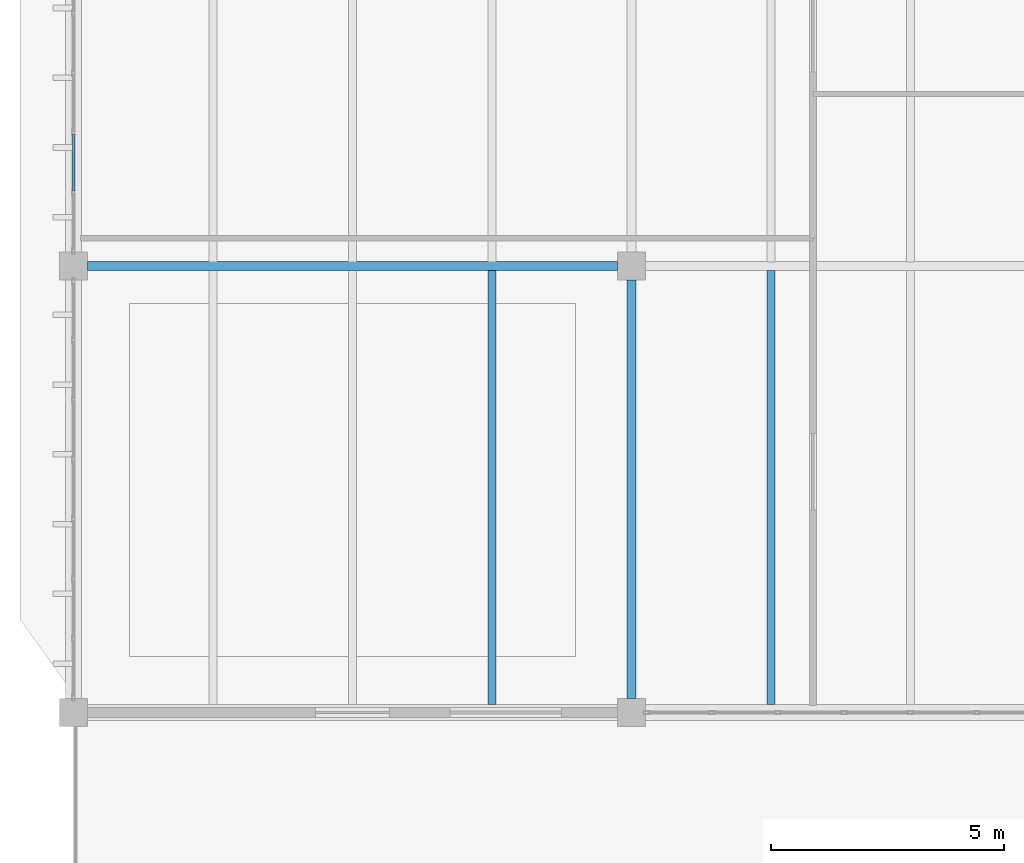
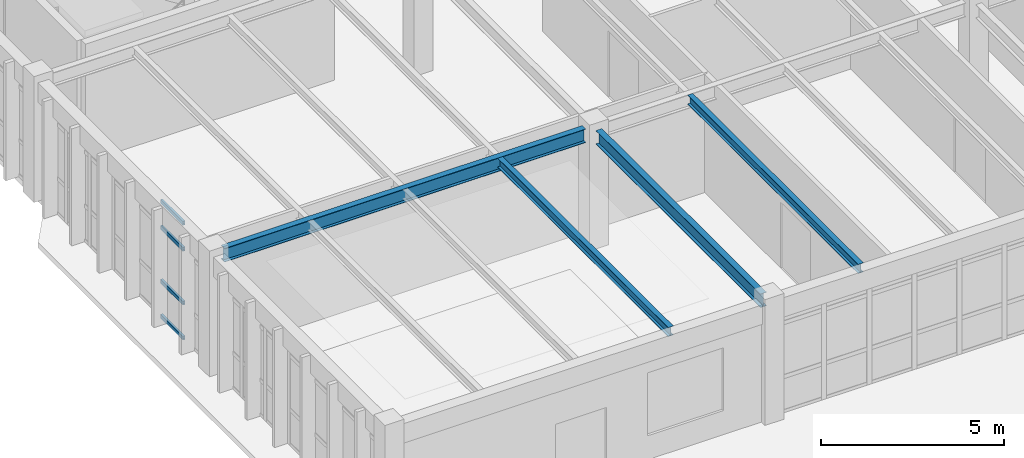
# One storey, part 5 of 37: 4 beams, 4 members, 1 element without a shape of its own.
"""IFC4 building model written with IfcOpenShell, lengths in metres."""

import ifcopenshell
import ifcopenshell.guid

model = None  # the IFC model being written
_history = None  # IfcOwnerHistory: only IFC2X3 demands one
_inside = {}  # id of a spatial element -> (the spatial element, [elements in it])
_under = {}  # id of a project, library or spatial element -> (it, [spatial elements below it])
_declared = {}  # id of a project -> (the project, [libraries it declares])
_typed = {}  # id of a type object -> (the type object, [elements of that type])
_made_of = {}  # id of a material, layer set ... -> (it, [elements and type objects made of it])


def new_model(schema):
    """Start an empty IFC model of exactly this schema.

    Asked for "IFC4X3", IfcOpenShell would pick the latest addendum, in which some entities
    have other attributes; the version numbers below select the first issue.
    IFC2X3 requires an IfcOwnerHistory on every rooted entity: one is made here for all.
    """
    global model, _history
    if schema == "IFC4X3":
        model = ifcopenshell.file(schema_version=(4, 3, 0, 0))
    else:
        model = ifcopenshell.file(schema=schema)
    _inside.clear()
    _under.clear()
    _declared.clear()
    _typed.clear()
    _made_of.clear()
    _history = None
    if model.schema == "IFC2X3":
        org = make("IfcOrganization", Name="unknown")
        user = make(
            "IfcPersonAndOrganization",
            ThePerson=make("IfcPerson", FamilyName="unknown"),
            TheOrganization=org,
        )
        app = make(
            "IfcApplication",
            ApplicationDeveloper=org,
            Version="unknown",
            ApplicationFullName="unknown",
            ApplicationIdentifier="unknown",
        )
        _history = make(
            "IfcOwnerHistory",
            OwningUser=user,
            OwningApplication=app,
            ChangeAction="ADDED",
            CreationDate=0,
        )
    return model


def make(cls, **values):
    """One entity of the class cls with the attributes given. An attribute that is None is left unset."""
    return model.create_entity(
        cls, **{name: value for name, value in values.items() if value is not None}
    )


def rooted(cls, **values):
    """An entity with a GlobalId (a new one), such as an element, a storey or a relation."""
    return make(cls, GlobalId=ifcopenshell.guid.new(), OwnerHistory=_history, **values)


def si_unit(unit_type, name, prefix=None):
    """IfcSIUnit, for example si_unit("LENGTHUNIT", "METRE", prefix="MILLI")."""
    return make("IfcSIUnit", UnitType=unit_type, Prefix=prefix, Name=name)


def assignment(units):
    """IfcUnitAssignment: the units of a project."""
    return None if units is None else make("IfcUnitAssignment", Units=units)


def point(xyz):
    """IfcCartesianPoint."""
    return None if xyz is None else make("IfcCartesianPoint", Coordinates=xyz)


def direction(xyz):
    """IfcDirection."""
    return None if xyz is None else make("IfcDirection", DirectionRatios=xyz)


def frame(location, z_axis=None, x_axis=None):
    """IfcAxis2Placement3D, a coordinate frame: its origin and axes. An axis left out is left unset."""
    return make(
        "IfcAxis2Placement3D",
        Location=point(location),
        Axis=direction(z_axis),
        RefDirection=direction(x_axis),
    )


def frame_2d(location, x_axis=None):
    """IfcAxis2Placement2D, a coordinate frame in the plane: its origin and x axis."""
    return make(
        "IfcAxis2Placement2D", Location=point(location), RefDirection=direction(x_axis)
    )


def origin():
    """The frame at (0, 0, 0) with its axes left unset."""
    return frame((0.0, 0.0, 0.0))


def origin_2d():
    """The frame at (0, 0) in the plane with its x axis left unset."""
    return frame_2d((0.0, 0.0))


def place(relative_to, where):
    """IfcLocalPlacement: puts the frame where relative to a parent placement (None: the world)."""
    return make(
        "IfcLocalPlacement", PlacementRelTo=relative_to, RelativePlacement=where
    )


def context(
    kind, dimensions, precision=None, world=None, true_north=None, identifier=None
):
    """IfcGeometricRepresentationContext, for example the 3D "Model" context."""
    return make(
        "IfcGeometricRepresentationContext",
        ContextIdentifier=identifier,
        ContextType=kind,
        CoordinateSpaceDimension=dimensions,
        Precision=precision,
        WorldCoordinateSystem=world,
        TrueNorth=true_north,
    )


def subcontext(parent, identifier, kind, view, scale=None):
    """IfcGeometricRepresentationSubContext, for example "Body" below "Model"."""
    return make(
        "IfcGeometricRepresentationSubContext",
        ContextIdentifier=identifier,
        ContextType=kind,
        ParentContext=parent,
        TargetScale=scale,
        TargetView=view,
    )


def project(units=None, contexts=None):
    """IfcProject with its units and contexts."""
    return rooted(
        "IfcProject",
        Name="project",
        RepresentationContexts=contexts,
        UnitsInContext=assignment(units),
    )


def spatial(cls, under=None, at=None, **own):
    """A site, building, storey or space (cls), placed at a placement, below another one or the project."""
    s = rooted(cls, ObjectPlacement=at, **own)
    if under is not None:
        _under.setdefault(under.id(), (under, []))[1].append(s)
    return s


def profile(cls, at=None, kind="AREA", **sizes):
    """A parametric profile (cls). Its sizes go by their IFC names, for example OverallWidth=200.0."""
    return make(cls, ProfileType=kind, Position=at, **sizes)


def hollow_rectangle(**sizes):
    """IfcRectangleHollowProfileDef."""
    return profile("IfcRectangleHollowProfileDef", **sizes)


def i_section(**sizes):
    """IfcIShapeProfileDef."""
    return profile("IfcIShapeProfileDef", **sizes)


def extrude(swept, where, along, depth):
    """IfcExtrudedAreaSolid: the profile swept, set in the frame where, extruded along a direction by depth."""
    return make(
        "IfcExtrudedAreaSolid",
        SweptArea=swept,
        Position=where,
        ExtrudedDirection=direction(along),
        Depth=depth,
    )


def shape(context_of_items, identifier, shape_type, items):
    """IfcShapeRepresentation: the items that make up one representation, for example the "Body"."""
    return make(
        "IfcShapeRepresentation",
        ContextOfItems=context_of_items,
        RepresentationIdentifier=identifier,
        RepresentationType=shape_type,
        Items=items,
    )


def material(Name=None, Category=None):
    """IfcMaterial."""
    return make("IfcMaterial", Name=Name, Category=Category)


def layer(
    of_material, thickness, ventilated=None, Name=None, Category=None, Priority=None
):
    """IfcMaterialLayer: one layer of a wall or slab, of a material (None: an air gap)."""
    return make(
        "IfcMaterialLayer",
        Material=of_material,
        LayerThickness=thickness,
        IsVentilated=ventilated,
        Name=Name,
        Category=Category,
        Priority=Priority,
    )


def layer_set(layers, Name=None):
    """IfcMaterialLayerSet."""
    return make("IfcMaterialLayerSet", MaterialLayers=layers, LayerSetName=Name)


def material_profile(
    of_material, cross_section, Name=None, Category=None, Priority=None
):
    """IfcMaterialProfile: a cross section and its material."""
    return make(
        "IfcMaterialProfile",
        Name=Name,
        Material=of_material,
        Profile=cross_section,
        Priority=Priority,
        Category=Category,
    )


def profile_set(profiles, Name=None, composite=None):
    """IfcMaterialProfileSet."""
    return make(
        "IfcMaterialProfileSet",
        Name=Name,
        MaterialProfiles=profiles,
        CompositeProfile=composite,
    )


def made_of(thing, what):
    """Note that an element or type object is made of a material, layer set ...; save() writes the relation."""
    if what is not None:
        _made_of.setdefault(what.id(), (what, []))[1].append(thing)
    return thing


def type_object(cls, material=None, **own):
    """A type object (cls), such as IfcWallType, which elements share."""
    return made_of(rooted(cls, **own), material)


def element(
    cls,
    number,
    at=None,
    inside=None,
    cuts=None,
    type_object=None,
    material=None,
    context=None,
    identifier="Body",
    shape_type=None,
    held_by="IfcProductDefinitionShape",
    body=None,
    shapes=None,
    **own,
):
    """One element of the class cls, such as IfcWall. Its Tag is "e" and its number.

    at: its placement. inside: the storey or other place that contains it. cuts: it is an
    opening in that element (IfcRelVoidsElement). A single representation is given by context,
    identifier, shape_type and body (its items); several are given by shapes. held_by: the class
    of the entity that holds the representations. save() writes the other relations.
    """
    e = rooted(cls, Tag="e%d" % number, ObjectPlacement=at, **own)
    if body is not None:
        shapes = [shape(context, identifier, shape_type, body)]
    if shapes is not None:
        e.Representation = make(held_by, Representations=shapes)
    if inside is not None:
        _inside.setdefault(inside.id(), (inside, []))[1].append(e)
    if cuts is not None:
        rooted(
            "IfcRelVoidsElement", RelatingBuildingElement=cuts, RelatedOpeningElement=e
        )
    if type_object is not None:
        _typed.setdefault(type_object.id(), (type_object, []))[1].append(e)
    return made_of(e, material)


def aggregate(whole, parts):
    """IfcRelAggregates: a whole, such as a stair, and the parts it consists of."""
    return rooted("IfcRelAggregates", RelatingObject=whole, RelatedObjects=parts)


def save(model, path):
    """Write the relations noted so far, then the file.

    IfcRelAggregates (storeys below a building ...), IfcRelContainedInSpatialStructure (elements
    in a storey), IfcRelDefinesByType, IfcRelAssociatesMaterial and IfcRelDeclares: one each for
    every whole, place, type object, material and project.
    """
    for whole, parts in _under.values():
        aggregate(whole, parts)
    for where, things in _inside.values():
        rooted(
            "IfcRelContainedInSpatialStructure",
            RelatedElements=things,
            RelatingStructure=where,
        )
    for kind, things in _typed.values():
        rooted("IfcRelDefinesByType", RelatedObjects=things, RelatingType=kind)
    for what, things in _made_of.values():
        rooted("IfcRelAssociatesMaterial", RelatedObjects=things, RelatingMaterial=what)
    for by, libraries in _declared.values():
        rooted("IfcRelDeclares", RelatingContext=by, RelatedDefinitions=libraries)
    model.write(path)


model = new_model("IFC4")

# Units and contexts
model_context = context("Model", 3, precision=1e-05, world=origin(), true_north=direction((0.0, 1.0)))
body_context = subcontext(model_context, "Body", "Model", "MODEL_VIEW")
ifc_project = project(units=[si_unit("LENGTHUNIT", "METRE"), si_unit("AREAUNIT", "SQUARE_METRE"), si_unit("VOLUMEUNIT", "CUBIC_METRE"), si_unit("PLANEANGLEUNIT", "RADIAN"), si_unit("MASSUNIT", "GRAM", prefix="KILO")], contexts=[model_context])

# Site, building, storey
site_placement = place(None, origin())
site = spatial("IfcSite", under=ifc_project, at=site_placement, CompositionType="ELEMENT")
building_placement = place(site_placement, origin())
building = spatial("IfcBuilding", under=site, at=building_placement, Name="Pandanus Reach Market Hall", CompositionType="ELEMENT")
storey_placement = place(building_placement, frame((0.0, 0.0, 14.39990234375)))
storey = spatial("IfcBuildingStorey", under=building, at=storey_placement, Name="L03", CompositionType="ELEMENT", Elevation=14.39990234375)

# Beams
ifc_material_1 = material(Name="Steel Grade 350 (350 MPa)", Category="steel")
ifc_material_profile_1 = material_profile(ifc_material_1, i_section(OverallWidth=0.18994140625, OverallDepth=0.45703125, WebThickness=0.009033203125, FlangeThickness=0.014404296875, at=origin_2d()), Name="460UB74.6", Category="LoadBearing")
ifc_profile_set_1 = profile_set([ifc_material_profile_1], Name="Steel Grade 350 (350 MPa)")
beam_type_1 = type_object("IfcBeamType", Name="BM-UB460-I", PredefinedType="BEAM", material=ifc_profile_set_1)
beam_1_placement = place(storey_placement, frame((144.298095703125, 38.39990234375, 3.726318359375), z_axis=(1.0, 0.0, 0.0), x_axis=(0.0, 1.0, 0.0)))
element("IfcBeam", 1, at=beam_1_placement, inside=storey, type_object=beam_type_1, Name="Framing beam BM-UB460-I L03.539", PredefinedType="BEAM", context=body_context, shape_type="SweptSolid", body=[
    extrude(i_section(OverallWidth=0.18994140625, OverallDepth=0.45703125, WebThickness=0.009033203125, FlangeThickness=0.014404296875, at=origin_2d()), origin(), (0.0, 0.0, 1.0), 11.40380859375),
])
beam_2_placement = place(storey_placement, frame((156.0, 29.097900390625, 3.726318359375), z_axis=(0.0, 1.0, 0.0), x_axis=(-1.0, 0.0, 0.0)))
element("IfcBeam", 2, at=beam_2_placement, inside=storey, type_object=beam_type_1, Name="Framing beam BM-UB460-I L03.559", PredefinedType="BEAM", context=body_context, shape_type="SweptSolid", body=[
    extrude(i_section(OverallWidth=0.18994140625, OverallDepth=0.45703125, WebThickness=0.009033203125, FlangeThickness=0.014404296875, at=origin_2d()), origin(), (0.0, 0.0, 1.0), 9.004150390625),
])

# Curtain wall, members
ifc_material_2 = material(Name="Bronze anodised aluminium and low-E glass", Category="aluminium")
ifc_layer = layer(ifc_material_2, 0.159912109375, Name="CW-33")
ifc_layer_set = layer_set([ifc_layer], Name="Bronze anodised aluminium and low-E glass")
curtain_wall_type = type_object("IfcCurtainWallType", Name="CW-33", PredefinedType="NOTDEFINED", material=ifc_layer_set)
curtain_wall_placement = place(storey_placement, origin())
curtain_wall = element("IfcCurtainWall", 3, at=curtain_wall_placement, inside=storey, type_object=curtain_wall_type, Name="Glazed curtain wall CW-33 CW-0123", PredefinedType="NOTDEFINED")
ifc_material_3 = material(Name="Bronze anodised aluminium", Category="aluminium")
ifc_material_profile_2 = material_profile(ifc_material_3, hollow_rectangle(XDim=0.06494140625, YDim=0.1298828125, WallThickness=0.00390625, at=origin_2d()), Name="ALU65x130", Category="LoadBearing")
ifc_profile_set_2 = profile_set([ifc_material_profile_2], Name="Bronze anodised aluminium")
member_type = type_object("IfcMemberType", Name="CW-T1", PredefinedType="USERDEFINED", material=ifc_profile_set_2)
member_1_placement = place(storey_placement, frame((144.0, 40.018310546875, 0.03271484375), z_axis=(0.0, 1.0, 0.0), x_axis=(-1.0, 0.0, 0.0)))
member_1 = element("IfcMember", 4, at=member_1_placement, type_object=member_type, Name="CW-33 transom 2.1", ObjectType="TRANSOM", PredefinedType="USERDEFINED", context=body_context, shape_type="SweptSolid", body=[
    extrude(hollow_rectangle(XDim=0.06494140625, YDim=0.1298828125, WallThickness=0.00390625, at=origin_2d()), origin(), (0.0, 0.0, 1.0), 1.220703125),
])
member_2_placement = place(storey_placement, frame((144.0, 40.018310546875, 1.2001953125), z_axis=(0.0, 1.0, 0.0), x_axis=(-1.0, 0.0, 0.0)))
member_2 = element("IfcMember", 5, at=member_2_placement, type_object=member_type, Name="CW-33 transom 2.2", ObjectType="TRANSOM", PredefinedType="USERDEFINED", context=body_context, shape_type="SweptSolid", body=[
    extrude(hollow_rectangle(XDim=0.06494140625, YDim=0.1298828125, WallThickness=0.00390625, at=origin_2d()), origin(), (0.0, 0.0, 1.0), 1.220703125),
])
member_3_placement = place(storey_placement, frame((144.0, 40.018310546875, 3.0), z_axis=(0.0, 1.0, 0.0), x_axis=(-1.0, 0.0, 0.0)))
member_3 = element("IfcMember", 6, at=member_3_placement, type_object=member_type, Name="CW-33 transom 2.3", ObjectType="TRANSOM", PredefinedType="USERDEFINED", context=body_context, shape_type="SweptSolid", body=[
    extrude(hollow_rectangle(XDim=0.06494140625, YDim=0.1298828125, WallThickness=0.00390625, at=origin_2d()), origin(), (0.0, 0.0, 1.0), 1.220703125),
])
member_4_placement = place(storey_placement, frame((144.0, 40.018310546875, 3.86767578125), z_axis=(0.0, 1.0, 0.0), x_axis=(-1.0, 0.0, 0.0)))
member_4 = element("IfcMember", 7, at=member_4_placement, type_object=member_type, Name="CW-33 transom 2.4", ObjectType="TRANSOM", PredefinedType="USERDEFINED", context=body_context, shape_type="SweptSolid", body=[
    extrude(hollow_rectangle(XDim=0.06494140625, YDim=0.1298828125, WallThickness=0.00390625, at=origin_2d()), origin(), (0.0, 0.0, 1.0), 1.220703125),
])
aggregate(curtain_wall, [member_1, member_2, member_3, member_4])

# Beams
ifc_material_profile_3 = material_profile(ifc_material_1, i_section(OverallWidth=0.1650390625, OverallDepth=0.303955078125, WebThickness=0.006103515625, FlangeThickness=0.01025390625, at=origin_2d()), Name="310UB40.4", Category="LoadBearing")
ifc_profile_set_3 = profile_set([ifc_material_profile_3], Name="Steel Grade 350 (350 MPa)")
beam_type_2 = type_object("IfcBeamType", Name="JS-UB310-I", PredefinedType="JOIST", material=ifc_profile_set_3)
for number, where, z_axis, x_axis, name in (
    (8, (153.0, 28.972900390625, 3.802734375), (0.0, 1.0, 0.0), (-1.0, 0.0, 0.0), "Secondary joist JS-UB310-I L03.576"),
    (9, (159.0, 28.972900390625, 3.8076171875), (0.0, 1.0, 0.0), (-1.0, 0.0, 0.0), "Secondary joist JS-UB310-I L03.586"),
):
    element("IfcBeam", number, at=place(storey_placement, frame(where, z_axis=z_axis, x_axis=x_axis)), inside=storey, type_object=beam_type_2, Name=name, PredefinedType="JOIST", context=body_context, shape_type="SweptSolid", body=[
        extrude(i_section(OverallWidth=0.1650390625, OverallDepth=0.303955078125, WebThickness=0.006103515625, FlangeThickness=0.01025390625, at=origin_2d()), origin(), (0.0, 0.0, 1.0), 9.333984375),
    ])

save(model, "model.ifc")
